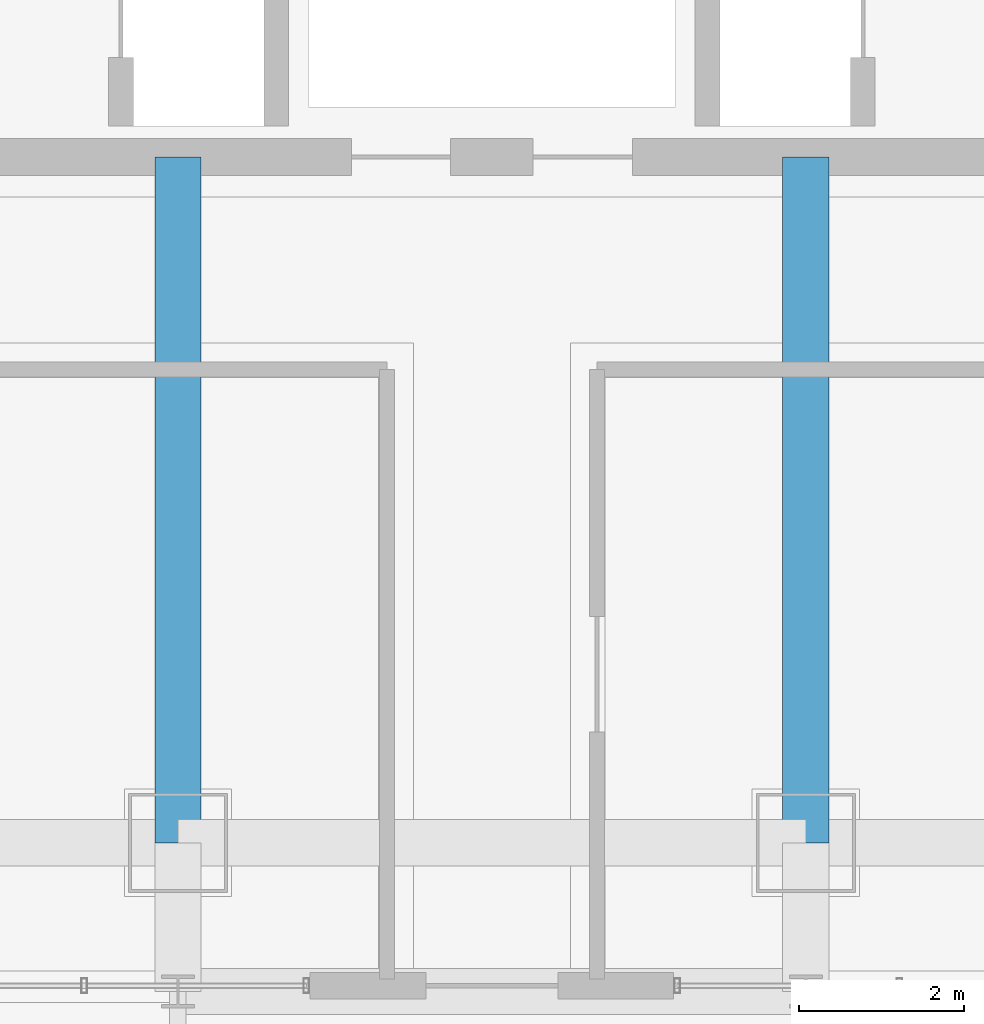
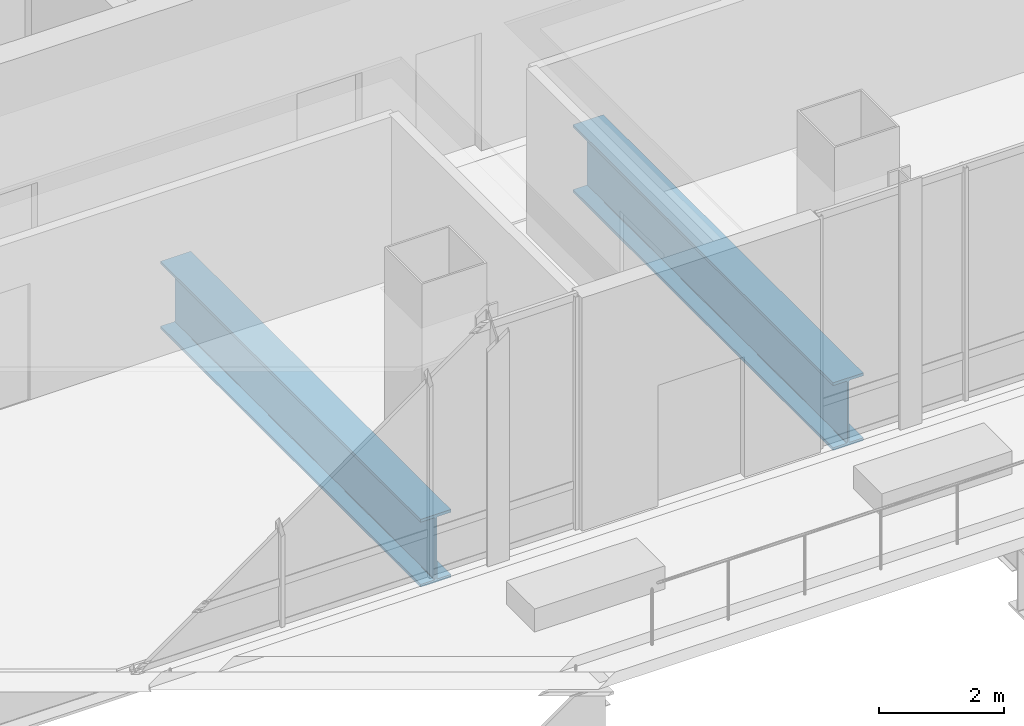
# One storey, part 9 of 44: 2 beams.
"""IFC4 building model written with IfcOpenShell, lengths in metres."""

from ifc_helpers import new_model, si_unit, direction, frame, origin, origin_2d, place, context, subcontext, project, spatial, i_section, extrude, material, material_profile, profile_set, type_object, element, save


model = new_model("IFC4")

# Units and contexts
model_context = context("Model", 3, precision=1e-05, world=origin(), true_north=direction((0.0, 1.0)))
body_context = subcontext(model_context, "Body", "Model", "MODEL_VIEW")
ifc_project = project(units=[si_unit("LENGTHUNIT", "METRE"), si_unit("AREAUNIT", "SQUARE_METRE"), si_unit("VOLUMEUNIT", "CUBIC_METRE"), si_unit("PLANEANGLEUNIT", "RADIAN"), si_unit("MASSUNIT", "GRAM", prefix="KILO")], contexts=[model_context])

# Site, building, storey
site_placement = place(None, origin())
site = spatial("IfcSite", under=ifc_project, at=site_placement, CompositionType="ELEMENT")
building_placement = place(site_placement, origin())
building = spatial("IfcBuilding", under=site, at=building_placement, Name="Punatoya Terracotta Tower", CompositionType="ELEMENT")
storey_placement = place(building_placement, frame((0.0, 0.0, 334.199951171875)))
storey = spatial("IfcBuildingStorey", under=building, at=storey_placement, Name="L79", CompositionType="ELEMENT", Elevation=334.199951171875)

# Beams
ifc_material = material(Name="Steel S460", Category="steel")
ifc_material_profile = material_profile(ifc_material, i_section(OverallWidth=0.56005859375, OverallDepth=1.320068359375, WebThickness=0.035888671875, FlangeThickness=0.054931640625, FilletRadius=0.01806640625, at=origin_2d()))
ifc_profile_set = profile_set([ifc_material_profile], Name="Steel S460")
beam_type = type_object("IfcBeamType", Name="BM-TG-BLK", PredefinedType="BEAM", material=ifc_profile_set)
for number, where, z_axis, x_axis, name in (
    (1, (-3.800048828125, -17.5, -0.919921875), (0.0, 1.0, 0.0), (-1.0, 0.0, 0.0), "BM-L79-PR-S2"),
    (2, (3.800048828125, -17.5, -0.919921875), (0.0, 1.0, 0.0), (-1.0, 0.0, 0.0), "BM-L79-PR-S3"),
):
    element("IfcBeam", number, at=place(storey_placement, frame(where, z_axis=z_axis, x_axis=x_axis)), inside=storey, type_object=beam_type, Name=name, PredefinedType="BEAM", context=body_context, shape_type="SweptSolid", body=[
        extrude(i_section(OverallWidth=0.56005859375, OverallDepth=1.320068359375, WebThickness=0.035888671875, FlangeThickness=0.054931640625, FilletRadius=0.01806640625, at=origin_2d()), origin(), (0.0, 0.0, 1.0), 8.300048828125),
    ])

save(model, "model.ifc")
